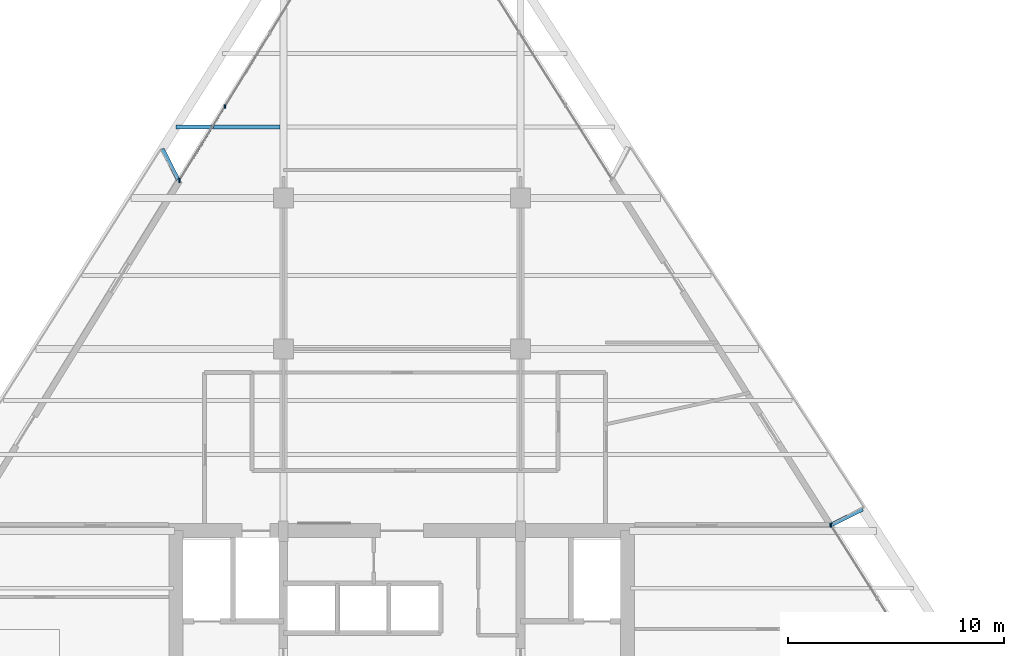
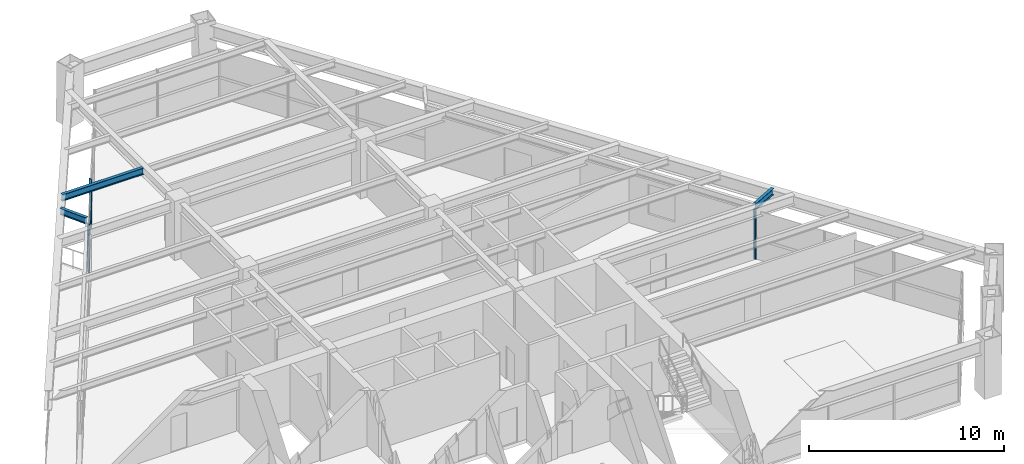
# One storey, part 8 of 15: 6 members, 3 beams, 2 elements without a shape of their own.
"""IFC4 building model written with IfcOpenShell, lengths in metres."""

from ifc_helpers import new_model, si_unit, direction, frame, origin, origin_2d, place, context, subcontext, project, spatial, rectangle, i_section, extrude, source, transform, mapped, material, material_profile, profile_set, type_object, element, aggregate, save


model = new_model("IFC4")

# Units and contexts
model_context = context("Model", 3, precision=1e-05, world=origin(), true_north=direction((0.0, 1.0)))
body_context = subcontext(model_context, "Body", "Model", "MODEL_VIEW")
ifc_project = project(units=[si_unit("LENGTHUNIT", "METRE"), si_unit("AREAUNIT", "SQUARE_METRE"), si_unit("VOLUMEUNIT", "CUBIC_METRE"), si_unit("PLANEANGLEUNIT", "RADIAN"), si_unit("MASSUNIT", "GRAM", prefix="KILO")], contexts=[model_context])

# Site, building, storey
site_placement = place(None, origin())
site = spatial("IfcSite", under=ifc_project, at=site_placement, CompositionType="ELEMENT")
building_placement = place(site_placement, origin())
building = spatial("IfcBuilding", under=site, at=building_placement, Name="Varnakhor Terracotta Tower", CompositionType="ELEMENT")
storey_placement = place(building_placement, frame((0.0, 0.0, 193.199951171875)))
storey = spatial("IfcBuildingStorey", under=building, at=storey_placement, Name="L49", CompositionType="ELEMENT", Elevation=193.199951171875)

# Beam
ifc_material_1 = material(Name="Steel S355", Category="steel")
ifc_material_profile_1 = material_profile(ifc_material_1, i_section(OverallWidth=0.179931640625, OverallDepth=0.4130859375, WebThickness=0.009765625, FlangeThickness=0.01611328125, FilletRadius=0.01806640625, at=origin_2d()), Name="W16X50")
ifc_profile_set_1 = profile_set([ifc_material_profile_1], Name="Steel S355")
beam_type_1 = type_object("IfcBeamType", Name="JST-W16X50", PredefinedType="JOIST", material=ifc_profile_set_1)
shared_shape_1 = source(origin(), body_context, "Body", "SweptSolid", [
    extrude(i_section(OverallWidth=0.179931640625, OverallDepth=0.4130859375, WebThickness=0.009765625, FlangeThickness=0.01611328125, FilletRadius=0.01806640625, at=origin_2d()), origin(), (0.0, 0.0, 1.0), 4.818603515625),
])
beam_1_placement = place(storey_placement, frame((-10.47705078125, 34.800048828125, 3.263427734375), z_axis=(1.0, 0.0, 0.0), x_axis=(0.0, 1.0, 0.0)))
element("IfcBeam", 1, at=beam_1_placement, inside=storey, type_object=beam_type_1, Name="L49 Composite Floor Joist 7-1", PredefinedType="JOIST", context=body_context, shape_type="MappedRepresentation", body=[
    mapped(shared_shape_1, transform((0.0, 0.0, 0.0), scale=1.0)),
])

# Curtain wall, members
ifc_material_2 = material(Name="Anodised Aluminium Curtain Wall System", Category="aluminium")
curtain_wall_type = type_object("IfcCurtainWallType", Name="CW-SYS-MID-OFFICE", PredefinedType="NOTDEFINED", material=ifc_material_2)
curtain_wall_1_placement = place(storey_placement, origin())
curtain_wall_1 = element("IfcCurtainWall", 2, at=curtain_wall_1_placement, inside=storey, type_object=curtain_wall_type, Name="L49 W Facet Curtain Wall 2", PredefinedType="NOTDEFINED")
ifc_material_3 = material(Name="Anodised Aluminium 6063-T6", Category="aluminium")
ifc_material_profile_2 = material_profile(ifc_material_3, rectangle(XDim=0.070068359375, YDim=0.175048828125, at=origin_2d()), Name="ALU MULLION 70x175")
ifc_profile_set_2 = profile_set([ifc_material_profile_2], Name="Anodised Aluminium 6063-T6")
member_type_1 = type_object("IfcMemberType", Name="CWM-03", PredefinedType="MULLION", material=ifc_profile_set_2)
shared_shape_2 = source(origin(), body_context, "Body", "SweptSolid", [
    extrude(rectangle(XDim=0.070068359375, YDim=0.175048828125, at=origin_2d()), origin(), (0.0, 0.0, 1.0), 3.050048828125),
])
member_1_placement = place(storey_placement, frame((-10.312744140625, 32.339111328125, 0.0), z_axis=(0.0, 0.0, 1.0), x_axis=(1.0, 0.0, 0.0)))
member_1 = element("IfcMember", 3, at=member_1_placement, type_object=member_type_1, Name="L49 W Facet Curtain Wall 2 Mullion 1", PredefinedType="MULLION", context=body_context, shape_type="MappedRepresentation", body=[
    mapped(shared_shape_2, transform((0.0, 0.0, 0.0), scale=1.0)),
])
member_2_placement = place(storey_placement, frame((-8.210693359375, 35.751708984375, 0.0), z_axis=(0.0, 0.0, 1.0), x_axis=(1.0, 0.0, 0.0)))
member_2 = element("IfcMember", 4, at=member_2_placement, type_object=member_type_1, Name="L49 W Facet Curtain Wall 2 Mullion 2", PredefinedType="MULLION", context=body_context, shape_type="MappedRepresentation", body=[
    mapped(shared_shape_2, transform((0.0, 0.0, 0.0), scale=1.0)),
])
member_3_placement = place(storey_placement, frame((-10.3115234375, 32.302978515625, 0.0), z_axis=(0.0, 0.0, 1.0), x_axis=(1.0, 0.0, 0.0)))
member_3 = element("IfcMember", 5, at=member_3_placement, type_object=member_type_1, Name="L49 W Loggia Jamb Closure Mullion 2", PredefinedType="MULLION", context=body_context, shape_type="MappedRepresentation", body=[
    mapped(shared_shape_2, transform((0.0, 0.0, 0.0), scale=1.0)),
])

curtain_wall_2_placement = place(storey_placement, origin())
curtain_wall_2 = element("IfcCurtainWall", 6, at=curtain_wall_2_placement, inside=storey, type_object=curtain_wall_type, Name="L49 E Facet Curtain Wall 2", PredefinedType="NOTDEFINED")
member_4_placement = place(storey_placement, frame((19.90869140625, 16.318359375, 0.0), z_axis=(0.0, 0.0, 1.0), x_axis=(1.0, 0.0, 0.0)))
member_4 = element("IfcMember", 7, at=member_4_placement, type_object=member_type_1, Name="L49 E Facet Curtain Wall 2 Mullion 1", PredefinedType="MULLION", context=body_context, shape_type="MappedRepresentation", body=[
    mapped(shared_shape_2, transform((0.0, 0.0, 0.0), scale=1.0)),
])
member_5_placement = place(storey_placement, frame((19.875732421875, 16.3330078125, 0.0), z_axis=(0.0, 0.0, 1.0), x_axis=(1.0, 0.0, 0.0)))
member_5 = element("IfcMember", 8, at=member_5_placement, type_object=member_type_1, Name="L49 E Loggia Jamb Closure Mullion 2", PredefinedType="MULLION", context=body_context, shape_type="MappedRepresentation", body=[
    mapped(shared_shape_2, transform((0.0, 0.0, 0.0), scale=1.0)),
])
aggregate(curtain_wall_2, [member_4, member_5])

# Member
ifc_material_profile_3 = material_profile(ifc_material_3, rectangle(XDim=0.070068359375, YDim=0.155029296875, at=origin_2d()), Name="ALU TRANSOM 70x155")
ifc_profile_set_3 = profile_set([ifc_material_profile_3], Name="Anodised Aluminium 6063-T6")
member_type_2 = type_object("IfcMemberType", Name="CWT-03", PredefinedType="USERDEFINED", material=ifc_profile_set_3)
shared_shape_3 = source(origin(), body_context, "Body", "SweptSolid", [
    extrude(rectangle(XDim=0.070068359375, YDim=0.155029296875, at=origin_2d()), origin(), (0.0, 0.0, 1.0), 4.008056640625),
])
member_6_placement = place(storey_placement, frame((-10.312744140625, 32.339111328125, 1.281005859375), z_axis=(0.524457625924, 0.851436549961, 0.0), x_axis=(-0.851436549961, 0.524457625924, 0.0)))
member_6 = element("IfcMember", 9, at=member_6_placement, type_object=member_type_2, Name="L49 W Facet Curtain Wall 2 Transom 1", ObjectType="TRANSOM", PredefinedType="USERDEFINED", context=body_context, shape_type="MappedRepresentation", body=[
    mapped(shared_shape_3, transform((0.0, 0.0, 0.0), scale=1.0)),
])

aggregate(curtain_wall_1, [member_1, member_6, member_2, member_3])

# Beams
ifc_material_profile_4 = material_profile(ifc_material_1, i_section(OverallWidth=0.179931640625, OverallDepth=0.39990234375, WebThickness=0.008544921875, FlangeThickness=0.013427734375, FilletRadius=0.01806640625, at=origin_2d()), Name="IPE400")
ifc_profile_set_4 = profile_set([ifc_material_profile_4], Name="Steel S355")
beam_type_2 = type_object("IfcBeamType", Name="JST-IPE400", PredefinedType="JOIST", material=ifc_profile_set_4)
shared_shape_4 = source(origin(), body_context, "Body", "SweptSolid", [
    extrude(i_section(OverallWidth=0.179931640625, OverallDepth=0.39990234375, WebThickness=0.008544921875, FlangeThickness=0.013427734375, FilletRadius=0.01806640625, at=origin_2d()), origin(), (0.0, 0.0, 1.0), 1.62890625),
])
beam_2_placement = place(storey_placement, frame((19.91162109375, 16.336181640625, 3.27001953125), z_axis=(0.895920865235, 0.44421369096, 0.0), x_axis=(-0.44421369096, 0.895920865235, 0.0)))
element("IfcBeam", 10, at=beam_2_placement, inside=storey, type_object=beam_type_2, Name="L50 E Loggia Tie Beam 2", PredefinedType="JOIST", context=body_context, shape_type="MappedRepresentation", body=[
    mapped(shared_shape_4, transform((0.0, 0.0, 0.0), scale=1.0)),
])
shared_shape_5 = source(origin(), body_context, "Body", "SweptSolid", [
    extrude(i_section(OverallWidth=0.179931640625, OverallDepth=0.39990234375, WebThickness=0.008544921875, FlangeThickness=0.013427734375, FilletRadius=0.01806640625, at=origin_2d()), origin(), (0.0, 0.0, 1.0), 1.609619140625),
])
beam_3_placement = place(storey_placement, frame((-10.3828125, 32.353515625, 3.27001953125), z_axis=(-0.455928618567, 0.890016345227, 0.0), x_axis=(-0.890016345227, -0.455928618567, 0.0)))
element("IfcBeam", 11, at=beam_3_placement, inside=storey, type_object=beam_type_2, Name="L50 W Loggia Tie Beam 2", PredefinedType="JOIST", context=body_context, shape_type="MappedRepresentation", body=[
    mapped(shared_shape_5, transform((0.0, 0.0, 0.0), scale=1.0)),
])

save(model, "model.ifc")
